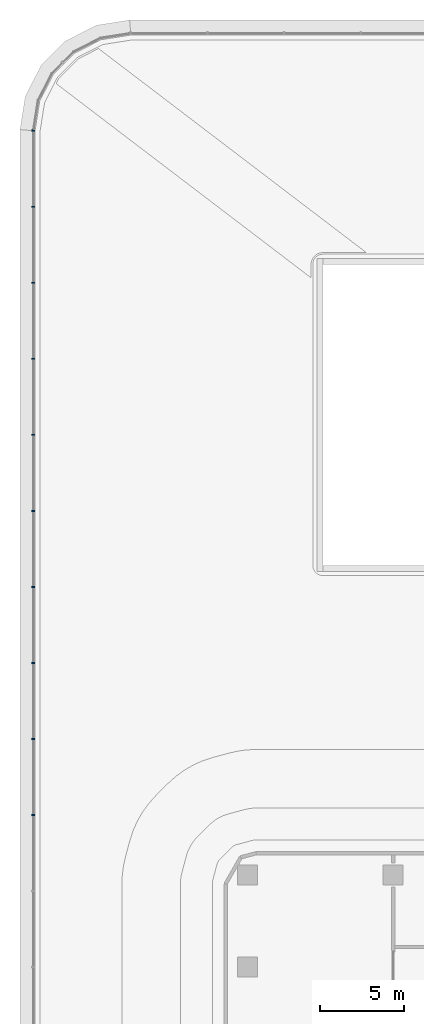
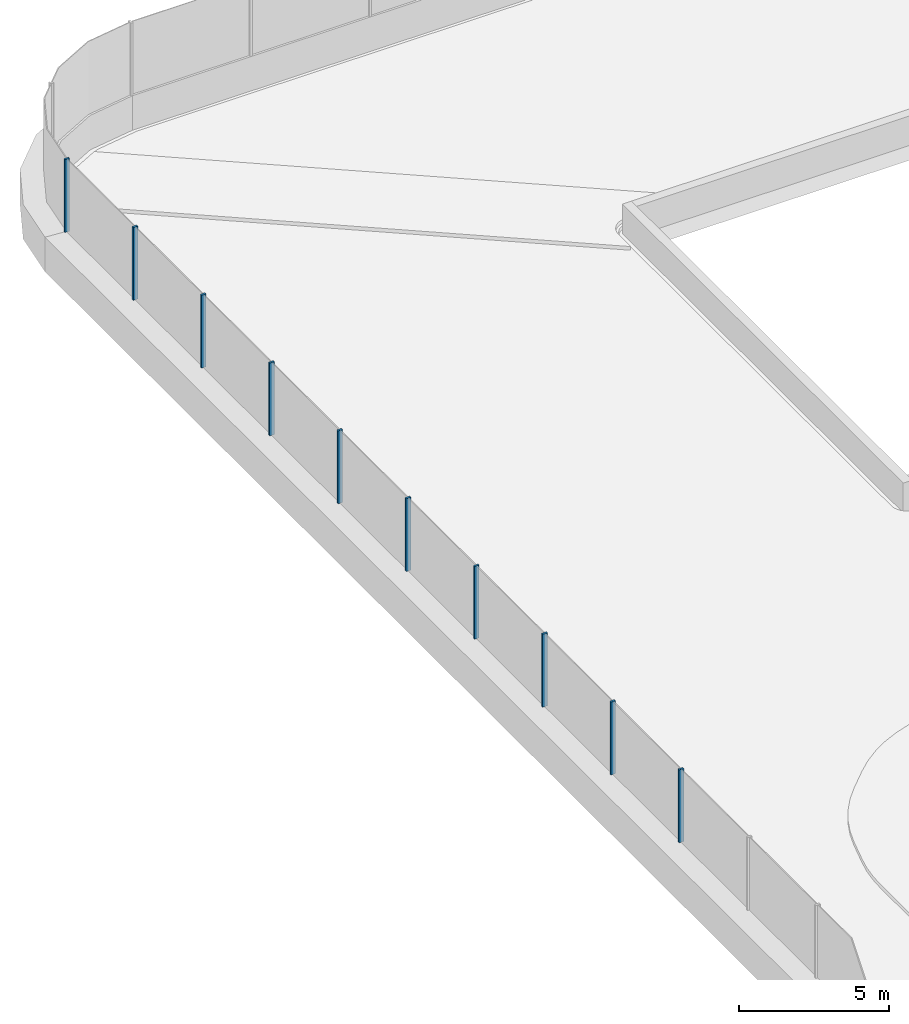
# One storey, part 13 of 37: 10 members, 1 element without a shape of its own.
"""IFC4 building model written with IfcOpenShell, lengths in metres."""

from ifc_helpers import new_model, si_unit, direction, frame, origin, origin_2d, place, context, subcontext, project, spatial, rectangle, extrude, material, layer, layer_set, material_profile, profile_set, type_object, element, aggregate, save


model = new_model("IFC4")

# Units and contexts
model_context = context("Model", 3, precision=1e-05, world=origin(), true_north=direction((0.0, 1.0)))
body_context = subcontext(model_context, "Body", "Model", "MODEL_VIEW")
ifc_project = project(units=[si_unit("LENGTHUNIT", "METRE"), si_unit("AREAUNIT", "SQUARE_METRE"), si_unit("VOLUMEUNIT", "CUBIC_METRE"), si_unit("PLANEANGLEUNIT", "RADIAN"), si_unit("MASSUNIT", "GRAM", prefix="KILO")], contexts=[model_context])

# Site, building, storey
site_placement = place(None, origin())
site = spatial("IfcSite", under=ifc_project, at=site_placement, CompositionType="ELEMENT")
building_placement = place(site_placement, origin())
building = spatial("IfcBuilding", under=site, at=building_placement, Name="Tamarind Cross Interchange Tower", CompositionType="ELEMENT")
storey_placement = place(building_placement, frame((0.0, 0.0, 29.5)))
storey = spatial("IfcBuildingStorey", under=building, at=storey_placement, Name="L05", CompositionType="ELEMENT", Elevation=29.5)

# Curtain wall, members
ifc_material = material(Name="Aluminium 6063-T6", Category="aluminium")
ifc_layer = layer(ifc_material, 0.179931640625)
ifc_layer_set = layer_set([ifc_layer], Name="Aluminium 6063-T6")
curtain_wall_type = type_object("IfcCurtainWallType", Name="Sky lobby curtain wall, fire-resisting glazing", PredefinedType="NOTDEFINED", material=ifc_layer_set)
curtain_wall_placement = place(storey_placement, origin())
curtain_wall = element("IfcCurtainWall", 1, at=curtain_wall_placement, inside=storey, type_object=curtain_wall_type, Name="CWS-L05-04", PredefinedType="NOTDEFINED")
ifc_material_profile = material_profile(ifc_material, rectangle(XDim=0.080078125, YDim=0.179931640625, at=origin_2d()), Name="Mullion CW4")
ifc_profile_set = profile_set([ifc_material_profile], Name="Aluminium 6063-T6")
member_type = type_object("IfcMemberType", Name="Mullion CW4", PredefinedType="MULLION", material=ifc_profile_set)
member_1_placement = place(storey_placement, frame((-60.800048828125, 49.984375, 1.39990234375), z_axis=(0.0, 0.0, 1.0), x_axis=(-0.078459095728, -0.996917333733, 0.0)))
member_1 = element("IfcMember", 2, at=member_1_placement, type_object=member_type, Name="CWM-L05-04-00", PredefinedType="MULLION", context=body_context, shape_type="SweptSolid", body=[
    extrude(rectangle(XDim=0.080078125, YDim=0.179931640625, at=origin_2d()), origin(), (0.0, 0.0, 1.0), 2.960205078125),
])
member_2_placement = place(storey_placement, frame((-60.800048828125, 45.440185546875, 1.39990234375), z_axis=(0.0, 0.0, 1.0), x_axis=(0.0, -1.0, 0.0)))
member_2 = element("IfcMember", 3, at=member_2_placement, type_object=member_type, Name="CWM-L05-04-01", PredefinedType="MULLION", context=body_context, shape_type="SweptSolid", body=[
    extrude(rectangle(XDim=0.080078125, YDim=0.179931640625, at=origin_2d()), origin(), (0.0, 0.0, 1.0), 2.960205078125),
])
member_3_placement = place(storey_placement, frame((-60.800048828125, 40.896240234375, 1.39990234375), z_axis=(0.0, 0.0, 1.0), x_axis=(0.0, -1.0, 0.0)))
member_3 = element("IfcMember", 4, at=member_3_placement, type_object=member_type, Name="CWM-L05-04-02", PredefinedType="MULLION", context=body_context, shape_type="SweptSolid", body=[
    extrude(rectangle(XDim=0.080078125, YDim=0.179931640625, at=origin_2d()), origin(), (0.0, 0.0, 1.0), 2.960205078125),
])
member_4_placement = place(storey_placement, frame((-60.800048828125, 36.352294921875, 1.39990234375), z_axis=(0.0, 0.0, 1.0), x_axis=(0.0, -1.0, 0.0)))
member_4 = element("IfcMember", 5, at=member_4_placement, type_object=member_type, Name="CWM-L05-04-03", PredefinedType="MULLION", context=body_context, shape_type="SweptSolid", body=[
    extrude(rectangle(XDim=0.080078125, YDim=0.179931640625, at=origin_2d()), origin(), (0.0, 0.0, 1.0), 2.960205078125),
])
member_5_placement = place(storey_placement, frame((-60.800048828125, 31.80810546875, 1.39990234375), z_axis=(0.0, 0.0, 1.0), x_axis=(0.0, -1.0, 0.0)))
member_5 = element("IfcMember", 6, at=member_5_placement, type_object=member_type, Name="CWM-L05-04-04", PredefinedType="MULLION", context=body_context, shape_type="SweptSolid", body=[
    extrude(rectangle(XDim=0.080078125, YDim=0.179931640625, at=origin_2d()), origin(), (0.0, 0.0, 1.0), 2.960205078125),
])
member_6_placement = place(storey_placement, frame((-60.800048828125, 27.26416015625, 1.39990234375), z_axis=(0.0, 0.0, 1.0), x_axis=(0.0, -1.0, 0.0)))
member_6 = element("IfcMember", 7, at=member_6_placement, type_object=member_type, Name="CWM-L05-04-05", PredefinedType="MULLION", context=body_context, shape_type="SweptSolid", body=[
    extrude(rectangle(XDim=0.080078125, YDim=0.179931640625, at=origin_2d()), origin(), (0.0, 0.0, 1.0), 2.960205078125),
])
member_7_placement = place(storey_placement, frame((-60.800048828125, 22.72021484375, 1.39990234375), z_axis=(0.0, 0.0, 1.0), x_axis=(0.0, -1.0, 0.0)))
member_7 = element("IfcMember", 8, at=member_7_placement, type_object=member_type, Name="CWM-L05-04-06", PredefinedType="MULLION", context=body_context, shape_type="SweptSolid", body=[
    extrude(rectangle(XDim=0.080078125, YDim=0.179931640625, at=origin_2d()), origin(), (0.0, 0.0, 1.0), 2.960205078125),
])
member_8_placement = place(storey_placement, frame((-60.800048828125, 18.176025390625, 1.39990234375), z_axis=(0.0, 0.0, 1.0), x_axis=(0.0, -1.0, 0.0)))
member_8 = element("IfcMember", 9, at=member_8_placement, type_object=member_type, Name="CWM-L05-04-07", PredefinedType="MULLION", context=body_context, shape_type="SweptSolid", body=[
    extrude(rectangle(XDim=0.080078125, YDim=0.179931640625, at=origin_2d()), origin(), (0.0, 0.0, 1.0), 2.960205078125),
])
member_9_placement = place(storey_placement, frame((-60.800048828125, 13.632080078125, 1.39990234375), z_axis=(0.0, 0.0, 1.0), x_axis=(0.0, -1.0, 0.0)))
member_9 = element("IfcMember", 10, at=member_9_placement, type_object=member_type, Name="CWM-L05-04-08", PredefinedType="MULLION", context=body_context, shape_type="SweptSolid", body=[
    extrude(rectangle(XDim=0.080078125, YDim=0.179931640625, at=origin_2d()), origin(), (0.0, 0.0, 1.0), 2.960205078125),
])
member_10_placement = place(storey_placement, frame((-60.800048828125, 9.088134765625, 1.39990234375), z_axis=(0.0, 0.0, 1.0), x_axis=(0.0, -1.0, 0.0)))
member_10 = element("IfcMember", 11, at=member_10_placement, type_object=member_type, Name="CWM-L05-04-09", PredefinedType="MULLION", context=body_context, shape_type="SweptSolid", body=[
    extrude(rectangle(XDim=0.080078125, YDim=0.179931640625, at=origin_2d()), origin(), (0.0, 0.0, 1.0), 2.960205078125),
])
aggregate(curtain_wall, [member_1, member_2, member_3, member_4, member_5, member_6, member_7, member_8, member_9, member_10])

save(model, "model.ifc")
